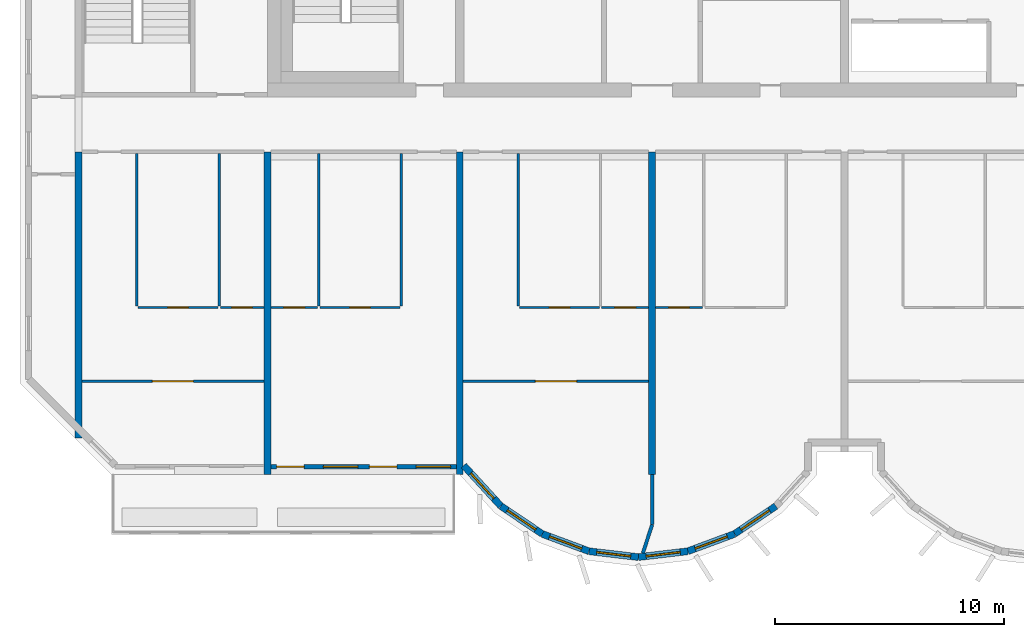
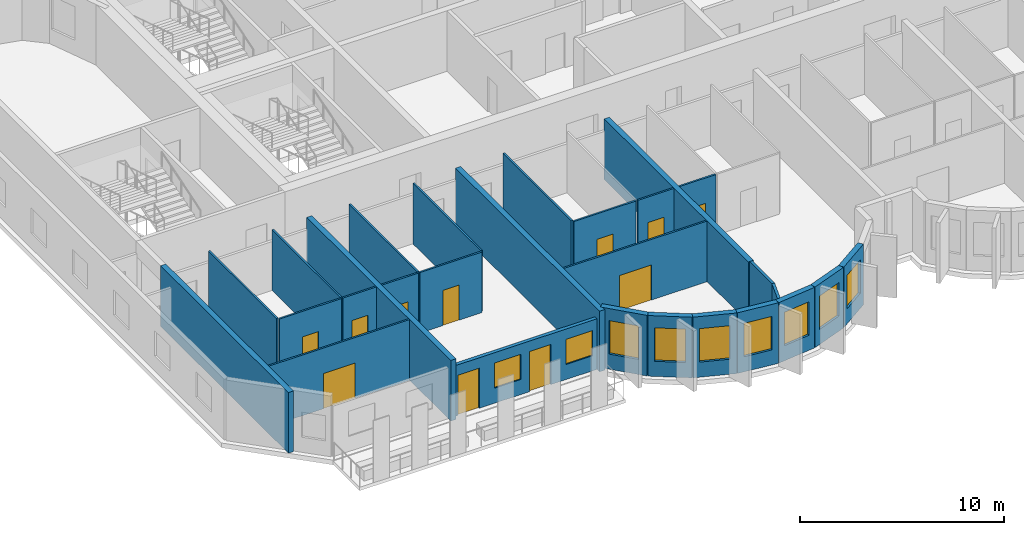
# One storey, part 2 of 11: 28 walls, 11 doors, 9 windows, 20 openings.
"""IFC4 building model written with IfcOpenShell, lengths in metres."""

from ifc_helpers import new_model, si_unit, direction, frame, frame_2d, origin, place, context, subcontext, project, spatial, rectangle, extrude, source, transform, mapped, material, layer, layer_set, type_object, element, fill, save


model = new_model("IFC4")

# Units and contexts
model_context = context("Model", 3, precision=1e-05, world=origin(), true_north=direction((0.0, 1.0)))
body_context = subcontext(model_context, "Body", "Model", "MODEL_VIEW")
ifc_project = project(units=[si_unit("LENGTHUNIT", "METRE"), si_unit("AREAUNIT", "SQUARE_METRE"), si_unit("VOLUMEUNIT", "CUBIC_METRE"), si_unit("PLANEANGLEUNIT", "RADIAN"), si_unit("MASSUNIT", "GRAM", prefix="KILO")], contexts=[model_context])

# Site, building, storey
site_placement = place(None, origin())
site = spatial("IfcSite", under=ifc_project, at=site_placement, CompositionType="ELEMENT")
building_placement = place(site_placement, origin())
building = spatial("IfcBuilding", under=site, at=building_placement, Name="Vanashikhar Sky Hotel", CompositionType="ELEMENT")
storey_placement = place(building_placement, frame((0.0, 0.0, 249.10009765625)))
storey = spatial("IfcBuildingStorey", under=building, at=storey_placement, Name="L60", CompositionType="ELEMENT", Elevation=249.10009765625)

# Walls
ifc_material_1 = material(Name="Concrete M60", Category="concrete")
ifc_layer_1 = layer(ifc_material_1, 0.300048828125)
ifc_layer_set_1 = layer_set([ifc_layer_1], Name="RC shear wall 300 Concrete M60")
wall_type_1 = type_object("IfcWallType", Name="RC shear wall 300 Concrete M60", PredefinedType="SHEAR", material=ifc_layer_set_1)
shared_shape_1 = source(origin(), body_context, "Body", "SweptSolid", [
    extrude(rectangle(XDim=12.5, YDim=0.300048828125, at=frame_2d((6.25, 0.0))), origin(), (0.0, 0.0, 1.0), 3.619873046875),
])
wall_1_placement = place(storey_placement, frame((16.949951171875, 7.10009765625, 0.0), z_axis=(0.0, 0.0, 1.0), x_axis=(0.0, 1.0, 0.0)))
element("IfcWall", 1, at=wall_1_placement, inside=storey, type_object=wall_type_1, Name="CW-L60-XW03-1", PredefinedType="SHEAR", context=body_context, shape_type="MappedRepresentation", body=[
    mapped(shared_shape_1, transform((0.0, 0.0, 0.0), scale=1.0)),
])
shared_shape_2 = source(origin(), body_context, "Body", "SweptSolid", [
    extrude(rectangle(XDim=14.10009765625, YDim=0.300048828125, at=frame_2d((7.050048828125, 0.0))), origin(), (0.0, 0.0, 1.0), 3.619873046875),
])
for number, where, z_axis, x_axis, name in (
    (2, (25.199951171875, 5.5, 0.0), (0.0, 0.0, 1.0), (0.0, 1.0, 0.0), "CW-L60-XW04-1"),
    (3, (33.60009765625, 5.5, 0.0), (0.0, 0.0, 1.0), (0.0, 1.0, 0.0), "CW-L60-XW05-1"),
    (4, (42.0, 5.5, 0.0), (0.0, 0.0, 1.0), (0.0, 1.0, 0.0), "CW-L60-XW06-1"),
):
    element("IfcWall", number, at=place(storey_placement, frame(where, z_axis=z_axis, x_axis=x_axis)), inside=storey, type_object=wall_type_1, Name=name, PredefinedType="SHEAR", context=body_context, shape_type="MappedRepresentation", body=[
        mapped(shared_shape_2, transform((0.0, 0.0, 0.0), scale=1.0)),
    ])

# Wall, openings, windows, doors
ifc_material_2 = material(Name="Concrete M50", Category="concrete")
ifc_layer_2 = layer(ifc_material_2, 0.199951171875)
ifc_layer_set_2 = layer_set([ifc_layer_2], Name="Front window wall 200")
wall_type_2 = type_object("IfcWallType", Name="Front window wall 200", PredefinedType="SOLIDWALL", material=ifc_layer_set_2)
shared_shape_3 = source(origin(), body_context, "Body", "SweptSolid", [
    extrude(rectangle(XDim=8.099853515625, YDim=0.199951171875, at=frame_2d((4.0498046875, 0.0))), origin(), (0.0, 0.0, 1.0), 3.02001953125),
])
wall_2_placement = place(storey_placement, frame((25.35009765625, 5.85009765625, 0.0), z_axis=(0.0, 0.0, 1.0), x_axis=(1.0, 0.0, 0.0)))
wall_2 = element("IfcWall", 5, at=wall_2_placement, inside=storey, type_object=wall_type_2, Name="Front window wall", PredefinedType="SOLIDWALL", context=body_context, shape_type="MappedRepresentation", body=[
    mapped(shared_shape_3, transform((0.0, 0.0, 0.0), scale=1.0)),
])
shared_shape_4 = source(origin(), body_context, "Body", "SweptSolid", [
    extrude(rectangle(XDim=1.199951171875, YDim=2.39990234375, at=frame_2d((0.60009765625, 1.199951171875))), frame((0.0, 0.10986328125, 0.0), z_axis=(0.0, -1.0, 0.0), x_axis=(1.0, 0.0, 0.0)), (0.0, 0.0, 1.0), 0.219970703125),
])
opening_1_placement = place(wall_2_placement, frame((0.25, 0.0, 0.0)))
opening_1 = element("IfcOpeningElement", 6, at=opening_1_placement, cuts=wall_2, Name="Opening BD-01", PredefinedType="OPENING", context=body_context, shape_type="MappedRepresentation", body=[
    mapped(shared_shape_4, transform((0.0, 0.0, 0.0), scale=1.0)),
])
shared_shape_5 = source(origin(), body_context, "Body", "SweptSolid", [
    extrude(rectangle(XDim=1.5, YDim=1.5, at=frame_2d((0.75, 0.75))), frame((0.0, 0.10986328125, 0.0), z_axis=(0.0, -1.0, 0.0), x_axis=(1.0, 0.0, 0.0)), (0.0, 0.0, 1.0), 0.219970703125),
])
opening_2_placement = place(wall_2_placement, frame((2.300048828125, 0.0, 0.89990234375)))
opening_2 = element("IfcOpeningElement", 7, at=opening_2_placement, cuts=wall_2, Name="Opening WN-1", PredefinedType="OPENING", context=body_context, shape_type="MappedRepresentation", body=[
    mapped(shared_shape_5, transform((0.0, 0.0, 0.0), scale=1.0)),
])
opening_3_placement = place(wall_2_placement, frame((4.300048828125, 0.0, 0.0)))
opening_3 = element("IfcOpeningElement", 8, at=opening_3_placement, cuts=wall_2, Name="Opening BD-02", PredefinedType="OPENING", context=body_context, shape_type="MappedRepresentation", body=[
    mapped(shared_shape_4, transform((0.0, 0.0, 0.0), scale=1.0)),
])
opening_4_placement = place(wall_2_placement, frame((6.35009765625, 0.0, 0.89990234375)))
opening_4 = element("IfcOpeningElement", 9, at=opening_4_placement, cuts=wall_2, Name="Opening WN-1", PredefinedType="OPENING", context=body_context, shape_type="MappedRepresentation", body=[
    mapped(shared_shape_5, transform((0.0, 0.0, 0.0), scale=1.0)),
])
ifc_material_3 = material(Name="Glass", Category="glass")
window_type_1 = type_object("IfcWindowType", Name="Window 1500 x 1500", PartitioningType="SINGLE_PANEL", PredefinedType="WINDOW", material=ifc_material_3)
shared_shape_6 = source(origin(), body_context, "Body", "SweptSolid", [
    extrude(rectangle(XDim=1.5, YDim=1.5, at=frame_2d((0.75, 0.75))), frame((0.0, 0.030029296875, 0.0), z_axis=(0.0, -1.0, 0.0), x_axis=(1.0, 0.0, 0.0)), (0.0, 0.0, 1.0), 0.06005859375),
])
window_1_placement = place(opening_2_placement, origin())
window_1 = element("IfcWindow", 10, at=window_1_placement, inside=storey, type_object=window_type_1, Name="Window WN-1", OverallHeight=1.5, OverallWidth=1.5, PartitioningType="SINGLE_PANEL", PredefinedType="WINDOW", context=body_context, shape_type="MappedRepresentation", body=[
    mapped(shared_shape_6, transform((0.0, 0.0, 0.0), scale=1.0)),
])
fill(opening_2, window_1)
window_2_placement = place(opening_4_placement, origin())
window_2 = element("IfcWindow", 11, at=window_2_placement, inside=storey, type_object=window_type_1, Name="Window WN-1", OverallHeight=1.5, OverallWidth=1.5, PartitioningType="SINGLE_PANEL", PredefinedType="WINDOW", context=body_context, shape_type="MappedRepresentation", body=[
    mapped(shared_shape_6, transform((0.0, 0.0, 0.0), scale=1.0)),
])
fill(opening_4, window_2)
ifc_material_4 = material(Name="Aluminium", Category="aluminium")
door_type_1 = type_object("IfcDoorType", Name="Balcony sliding door 1200 x 2400", OperationType="NOTDEFINED", PredefinedType="DOOR", material=ifc_material_4)
shared_shape_7 = source(origin(), body_context, "Body", "SweptSolid", [
    extrude(rectangle(XDim=1.199951171875, YDim=2.39990234375, at=frame_2d((0.60009765625, 1.199951171875))), frame((0.0, 0.02490234375, 0.0), z_axis=(0.0, -1.0, 0.0), x_axis=(1.0, 0.0, 0.0)), (0.0, 0.0, 1.0), 0.050048828125),
])
door_1_placement = place(opening_1_placement, origin())
door_1 = element("IfcDoor", 12, at=door_1_placement, inside=storey, type_object=door_type_1, Name="Balcony sliding door", OperationType="SLIDING_TO_LEFT", OverallHeight=2.39990234375, OverallWidth=1.199951171875, PredefinedType="DOOR", context=body_context, shape_type="MappedRepresentation", body=[
    mapped(shared_shape_7, transform((0.0, 0.0, 0.0), scale=1.0)),
])
fill(opening_1, door_1)
door_2_placement = place(opening_3_placement, origin())
door_2 = element("IfcDoor", 13, at=door_2_placement, inside=storey, type_object=door_type_1, Name="Balcony sliding door", OperationType="SLIDING_TO_RIGHT", OverallHeight=2.39990234375, OverallWidth=1.199951171875, PredefinedType="DOOR", context=body_context, shape_type="MappedRepresentation", body=[
    mapped(shared_shape_7, transform((0.0, 0.0, 0.0), scale=1.0)),
])
fill(opening_3, door_2)

# Wall, opening, window
ifc_layer_3 = layer(ifc_material_2, 0.300048828125)
ifc_layer_set_3 = layer_set([ifc_layer_3], Name="Lobe wall 300")
wall_type_3 = type_object("IfcWallType", Name="Lobe wall 300", PredefinedType="SOLIDWALL", material=ifc_layer_set_3)
shared_shape_8 = source(origin(), body_context, "Body", "SweptSolid", [
    extrude(rectangle(XDim=2.398193359375, YDim=0.300048828125, at=frame_2d((1.19921875, 0.0))), origin(), (0.0, 0.0, 1.0), 3.619873046875),
])
wall_3_placement = place(storey_placement, frame((33.776123046875, 5.89990234375, 0.0), z_axis=(0.0, 0.0, 1.0), x_axis=(0.675374189419, -0.737475222815, 0.0)))
wall_3 = element("IfcWall", 14, at=wall_3_placement, inside=storey, type_object=wall_type_3, Name="Lobe wall", PredefinedType="SOLIDWALL", context=body_context, shape_type="MappedRepresentation", body=[
    mapped(shared_shape_8, transform((0.0, 0.0, 0.0), scale=1.0)),
])
shared_shape_9 = source(origin(), body_context, "Body", "SweptSolid", [
    extrude(rectangle(XDim=1.5, YDim=2.0, at=frame_2d((0.75, 1.0))), frame((0.0, 0.16015625, 0.0), z_axis=(0.0, -1.0, 0.0), x_axis=(1.0, 0.0, 0.0)), (0.0, 0.0, 1.0), 0.320068359375),
])
opening_5_placement = place(wall_3_placement, frame((0.44921875, 0.0, 0.89990234375)))
opening_5 = element("IfcOpeningElement", 15, at=opening_5_placement, cuts=wall_3, Name="Opening WN-2", PredefinedType="OPENING", context=body_context, shape_type="MappedRepresentation", body=[
    mapped(shared_shape_9, transform((0.0, 0.0, 0.0), scale=1.0)),
])
window_type_2 = type_object("IfcWindowType", Name="Lobe window 1500 x 2000", PartitioningType="SINGLE_PANEL", PredefinedType="WINDOW", material=ifc_material_3)
shared_shape_10 = source(origin(), body_context, "Body", "SweptSolid", [
    extrude(rectangle(XDim=1.5, YDim=2.0, at=frame_2d((0.75, 1.0))), frame((0.0, 0.030029296875, 0.0), z_axis=(0.0, -1.0, 0.0), x_axis=(1.0, 0.0, 0.0)), (0.0, 0.0, 1.0), 0.06005859375),
])
window_3_placement = place(opening_5_placement, origin())
window_3 = element("IfcWindow", 16, at=window_3_placement, inside=storey, type_object=window_type_2, Name="Window WN-2", OverallHeight=2.0, OverallWidth=1.5, PartitioningType="SINGLE_PANEL", PredefinedType="WINDOW", context=body_context, shape_type="MappedRepresentation", body=[
    mapped(shared_shape_10, transform((0.0, 0.0, 0.0), scale=1.0)),
])
fill(opening_5, window_3)

shared_shape_11 = source(origin(), body_context, "Body", "SweptSolid", [
    extrude(rectangle(XDim=2.17578125, YDim=0.300048828125, at=frame_2d((1.087890625, 0.0))), origin(), (0.0, 0.0, 1.0), 3.619873046875),
])
wall_4_placement = place(storey_placement, frame((35.395751953125, 4.13134765625, 0.0), z_axis=(0.0, 0.0, 1.0), x_axis=(0.829590746428, -0.558371913192, 0.0)))
wall_4 = element("IfcWall", 17, at=wall_4_placement, inside=storey, type_object=wall_type_3, Name="Lobe wall", PredefinedType="SOLIDWALL", context=body_context, shape_type="MappedRepresentation", body=[
    mapped(shared_shape_11, transform((0.0, 0.0, 0.0), scale=1.0)),
])
opening_6_placement = place(wall_4_placement, frame((0.337890625, 0.0, 0.89990234375)))
opening_6 = element("IfcOpeningElement", 18, at=opening_6_placement, cuts=wall_4, Name="Opening WN-2", PredefinedType="OPENING", context=body_context, shape_type="MappedRepresentation", body=[
    mapped(shared_shape_9, transform((0.0, 0.0, 0.0), scale=1.0)),
])
window_4_placement = place(opening_6_placement, origin())
window_4 = element("IfcWindow", 19, at=window_4_placement, inside=storey, type_object=window_type_2, Name="Window WN-2", OverallHeight=2.0, OverallWidth=1.5, PartitioningType="SINGLE_PANEL", PredefinedType="WINDOW", context=body_context, shape_type="MappedRepresentation", body=[
    mapped(shared_shape_10, transform((0.0, 0.0, 0.0), scale=1.0)),
])
fill(opening_6, window_4)

wall_5_placement = place(storey_placement, frame((37.20068359375, 2.91650390625, 0.0), z_axis=(0.0, 0.0, 1.0), x_axis=(0.93754555999, -0.347862505801, 0.0)))
wall_5 = element("IfcWall", 20, at=wall_5_placement, inside=storey, type_object=wall_type_3, Name="Lobe wall", PredefinedType="SOLIDWALL", context=body_context, shape_type="MappedRepresentation", body=[
    mapped(shared_shape_11, transform((0.0, 0.0, 0.0), scale=1.0)),
])
opening_7_placement = place(wall_5_placement, frame((0.337890625, 0.0, 0.89990234375)))
opening_7 = element("IfcOpeningElement", 21, at=opening_7_placement, cuts=wall_5, Name="Opening WN-2", PredefinedType="OPENING", context=body_context, shape_type="MappedRepresentation", body=[
    mapped(shared_shape_9, transform((0.0, 0.0, 0.0), scale=1.0)),
])
window_5_placement = place(opening_7_placement, origin())
window_5 = element("IfcWindow", 22, at=window_5_placement, inside=storey, type_object=window_type_2, Name="Window WN-2", OverallHeight=2.0, OverallWidth=1.5, PartitioningType="SINGLE_PANEL", PredefinedType="WINDOW", context=body_context, shape_type="MappedRepresentation", body=[
    mapped(shared_shape_10, transform((0.0, 0.0, 0.0), scale=1.0)),
])
fill(opening_7, window_5)

wall_6_placement = place(storey_placement, frame((45.59912109375, 2.91650390625, 0.0), z_axis=(0.0, 0.0, 1.0), x_axis=(0.829625727223, 0.558319937607, 0.0)))
wall_6 = element("IfcWall", 23, at=wall_6_placement, inside=storey, type_object=wall_type_3, Name="Lobe wall", PredefinedType="SOLIDWALL", context=body_context, shape_type="MappedRepresentation", body=[
    mapped(shared_shape_11, transform((0.0, 0.0, 0.0), scale=1.0)),
])
opening_8_placement = place(wall_6_placement, frame((0.337890625, 0.0, 0.89990234375)))
opening_8 = element("IfcOpeningElement", 24, at=opening_8_placement, cuts=wall_6, Name="Opening WN-2", PredefinedType="OPENING", context=body_context, shape_type="MappedRepresentation", body=[
    mapped(shared_shape_9, transform((0.0, 0.0, 0.0), scale=1.0)),
])
window_6_placement = place(opening_8_placement, origin())
window_6 = element("IfcWindow", 25, at=window_6_placement, inside=storey, type_object=window_type_2, Name="Window WN-2", OverallHeight=2.0, OverallWidth=1.5, PartitioningType="SINGLE_PANEL", PredefinedType="WINDOW", context=body_context, shape_type="MappedRepresentation", body=[
    mapped(shared_shape_10, transform((0.0, 0.0, 0.0), scale=1.0)),
])
fill(opening_8, window_6)

shared_shape_12 = source(origin(), body_context, "Body", "SweptSolid", [
    extrude(rectangle(XDim=2.174560546875, YDim=0.300048828125, at=frame_2d((1.08740234375, 0.0))), origin(), (0.0, 0.0, 1.0), 3.619873046875),
])
wall_7_placement = place(storey_placement, frame((39.240478515625, 2.15966796875, 0.0), z_axis=(0.0, 0.0, 1.0), x_axis=(0.993001132889, -0.118104826659, 0.0)))
wall_7 = element("IfcWall", 26, at=wall_7_placement, inside=storey, type_object=wall_type_3, Name="Lobe wall", PredefinedType="SOLIDWALL", context=body_context, shape_type="MappedRepresentation", body=[
    mapped(shared_shape_12, transform((0.0, 0.0, 0.0), scale=1.0)),
])
opening_9_placement = place(wall_7_placement, frame((0.33740234375, 0.0, 0.89990234375)))
opening_9 = element("IfcOpeningElement", 27, at=opening_9_placement, cuts=wall_7, Name="Opening WN-2", PredefinedType="OPENING", context=body_context, shape_type="MappedRepresentation", body=[
    mapped(shared_shape_9, transform((0.0, 0.0, 0.0), scale=1.0)),
])
window_7_placement = place(opening_9_placement, origin())
window_7 = element("IfcWindow", 28, at=window_7_placement, inside=storey, type_object=window_type_2, Name="Window WN-2", OverallHeight=2.0, OverallWidth=1.5, PartitioningType="SINGLE_PANEL", PredefinedType="WINDOW", context=body_context, shape_type="MappedRepresentation", body=[
    mapped(shared_shape_10, transform((0.0, 0.0, 0.0), scale=1.0)),
])
fill(opening_9, window_7)

shared_shape_13 = source(origin(), body_context, "Body", "SweptSolid", [
    extrude(rectangle(XDim=2.1748046875, YDim=0.300048828125, at=frame_2d((1.08740234375, 0.0))), origin(), (0.0, 0.0, 1.0), 3.619873046875),
])
wall_8_placement = place(storey_placement, frame((41.39990234375, 1.90283203125, 0.0), z_axis=(0.0, 0.0, 1.0), x_axis=(0.993002698611, 0.118091661648, 0.0)))
wall_8 = element("IfcWall", 29, at=wall_8_placement, inside=storey, type_object=wall_type_3, Name="Lobe wall", PredefinedType="SOLIDWALL", context=body_context, shape_type="MappedRepresentation", body=[
    mapped(shared_shape_13, transform((0.0, 0.0, 0.0), scale=1.0)),
])
opening_10_placement = place(wall_8_placement, frame((0.33740234375, 0.0, 0.89990234375)))
opening_10 = element("IfcOpeningElement", 30, at=opening_10_placement, cuts=wall_8, Name="Opening WN-2", PredefinedType="OPENING", context=body_context, shape_type="MappedRepresentation", body=[
    mapped(shared_shape_9, transform((0.0, 0.0, 0.0), scale=1.0)),
])
window_8_placement = place(opening_10_placement, origin())
window_8 = element("IfcWindow", 31, at=window_8_placement, inside=storey, type_object=window_type_2, Name="Window WN-2", OverallHeight=2.0, OverallWidth=1.5, PartitioningType="SINGLE_PANEL", PredefinedType="WINDOW", context=body_context, shape_type="MappedRepresentation", body=[
    mapped(shared_shape_10, transform((0.0, 0.0, 0.0), scale=1.0)),
])
fill(opening_10, window_8)

shared_shape_14 = source(origin(), body_context, "Body", "SweptSolid", [
    extrude(rectangle(XDim=2.175537109375, YDim=0.300048828125, at=frame_2d((1.087890625, 0.0))), origin(), (0.0, 0.0, 1.0), 3.619873046875),
])
wall_9_placement = place(storey_placement, frame((43.5595703125, 2.15966796875, 0.0), z_axis=(0.0, 0.0, 1.0), x_axis=(0.937531979054, 0.347899106424, 0.0)))
wall_9 = element("IfcWall", 32, at=wall_9_placement, inside=storey, type_object=wall_type_3, Name="Lobe wall", PredefinedType="SOLIDWALL", context=body_context, shape_type="MappedRepresentation", body=[
    mapped(shared_shape_14, transform((0.0, 0.0, 0.0), scale=1.0)),
])
opening_11_placement = place(wall_9_placement, frame((0.337890625, 0.0, 0.89990234375)))
opening_11 = element("IfcOpeningElement", 33, at=opening_11_placement, cuts=wall_9, Name="Opening WN-2", PredefinedType="OPENING", context=body_context, shape_type="MappedRepresentation", body=[
    mapped(shared_shape_9, transform((0.0, 0.0, 0.0), scale=1.0)),
])
window_9_placement = place(opening_11_placement, origin())
window_9 = element("IfcWindow", 34, at=window_9_placement, inside=storey, type_object=window_type_2, Name="Window WN-2", OverallHeight=2.0, OverallWidth=1.5, PartitioningType="SINGLE_PANEL", PredefinedType="WINDOW", context=body_context, shape_type="MappedRepresentation", body=[
    mapped(shared_shape_10, transform((0.0, 0.0, 0.0), scale=1.0)),
])
fill(opening_11, window_9)

# Wall, opening, door
ifc_material_5 = material(Name="Gypsum plasterboard partition")
ifc_layer_4 = layer(ifc_material_5, 0.10009765625)
ifc_layer_set_4 = layer_set([ifc_layer_4], Name="Wet room partition 100")
wall_type_4 = type_object("IfcWallType", Name="Wet room partition 100", PredefinedType="PARTITIONING", material=ifc_layer_set_4)
shared_shape_15 = source(origin(), body_context, "Body", "SweptSolid", [
    extrude(rectangle(XDim=3.5, YDim=0.10009765625, at=frame_2d((1.75, 0.0))), origin(), (0.0, 0.0, 1.0), 3.619873046875),
])
wall_10_placement = place(storey_placement, frame((19.550048828125, 12.800048828125, 0.0), z_axis=(0.0, 0.0, 1.0), x_axis=(1.0, 0.0, 0.0)))
wall_10 = element("IfcWall", 35, at=wall_10_placement, inside=storey, type_object=wall_type_4, Name="W-L60-PW003", PredefinedType="PARTITIONING", context=body_context, shape_type="MappedRepresentation", body=[
    mapped(shared_shape_15, transform((0.0, 0.0, 0.0), scale=1.0)),
])
shared_shape_16 = source(origin(), body_context, "Body", "SweptSolid", [
    extrude(rectangle(XDim=0.89990234375, YDim=2.10009765625, at=frame_2d((0.449951171875, 1.050048828125))), frame((0.0, 0.06005859375, 0.0), z_axis=(0.0, -1.0, 0.0), x_axis=(1.0, 0.0, 0.0)), (0.0, 0.0, 1.0), 0.1201171875),
])
opening_12_placement = place(wall_10_placement, frame((1.300048828125, 0.0, 0.0)))
opening_12 = element("IfcOpeningElement", 36, at=opening_12_placement, cuts=wall_10, Name="Opening D-02", PredefinedType="OPENING", context=body_context, shape_type="MappedRepresentation", body=[
    mapped(shared_shape_16, transform((0.0, 0.0, 0.0), scale=1.0)),
])
ifc_material_6 = material(Name="Timber door", Category="wood")
door_type_2 = type_object("IfcDoorType", Name="Internal door 900", OperationType="NOTDEFINED", PredefinedType="DOOR", material=ifc_material_6)
shared_shape_17 = source(origin(), body_context, "Body", "SweptSolid", [
    extrude(rectangle(XDim=0.89990234375, YDim=2.10009765625, at=frame_2d((0.449951171875, 1.050048828125))), frame((0.0, 0.02490234375, 0.0), z_axis=(0.0, -1.0, 0.0), x_axis=(1.0, 0.0, 0.0)), (0.0, 0.0, 1.0), 0.050048828125),
])
door_3_placement = place(opening_12_placement, origin())
door_3 = element("IfcDoor", 37, at=door_3_placement, inside=storey, type_object=door_type_2, Name="D-L60-001", OperationType="SINGLE_SWING_LEFT", OverallHeight=2.10009765625, OverallWidth=0.89990234375, PredefinedType="DOOR", context=body_context, shape_type="MappedRepresentation", body=[
    mapped(shared_shape_17, transform((0.0, 0.0, 0.0), scale=1.0)),
])
fill(opening_12, door_3)

wall_11_placement = place(storey_placement, frame((27.5, 12.800048828125, 0.0), z_axis=(0.0, 0.0, 1.0), x_axis=(1.0, 0.0, 0.0)))
wall_11 = element("IfcWall", 38, at=wall_11_placement, inside=storey, type_object=wall_type_4, Name="W-L60-PW009", PredefinedType="PARTITIONING", context=body_context, shape_type="MappedRepresentation", body=[
    mapped(shared_shape_15, transform((0.0, 0.0, 0.0), scale=1.0)),
])
opening_13_placement = place(wall_11_placement, frame((1.300048828125, 0.0, 0.0)))
opening_13 = element("IfcOpeningElement", 39, at=opening_13_placement, cuts=wall_11, Name="Opening D-02", PredefinedType="OPENING", context=body_context, shape_type="MappedRepresentation", body=[
    mapped(shared_shape_16, transform((0.0, 0.0, 0.0), scale=1.0)),
])
door_4_placement = place(opening_13_placement, origin())
door_4 = element("IfcDoor", 40, at=door_4_placement, inside=storey, type_object=door_type_2, Name="D-L60-005", OperationType="SINGLE_SWING_RIGHT", OverallHeight=2.10009765625, OverallWidth=0.89990234375, PredefinedType="DOOR", context=body_context, shape_type="MappedRepresentation", body=[
    mapped(shared_shape_17, transform((0.0, 0.0, 0.0), scale=1.0)),
])
fill(opening_13, door_4)

wall_12_placement = place(storey_placement, frame((36.199951171875, 12.800048828125, 0.0), z_axis=(0.0, 0.0, 1.0), x_axis=(1.0, 0.0, 0.0)))
wall_12 = element("IfcWall", 41, at=wall_12_placement, inside=storey, type_object=wall_type_4, Name="W-L60-PW014", PredefinedType="PARTITIONING", context=body_context, shape_type="MappedRepresentation", body=[
    mapped(shared_shape_15, transform((0.0, 0.0, 0.0), scale=1.0)),
])
opening_14_placement = place(wall_12_placement, frame((1.300048828125, 0.0, 0.0)))
opening_14 = element("IfcOpeningElement", 42, at=opening_14_placement, cuts=wall_12, Name="Opening D-02", PredefinedType="OPENING", context=body_context, shape_type="MappedRepresentation", body=[
    mapped(shared_shape_16, transform((0.0, 0.0, 0.0), scale=1.0)),
])
door_5_placement = place(opening_14_placement, origin())
door_5 = element("IfcDoor", 43, at=door_5_placement, inside=storey, type_object=door_type_2, Name="D-L60-008", OperationType="SINGLE_SWING_LEFT", OverallHeight=2.10009765625, OverallWidth=0.89990234375, PredefinedType="DOOR", context=body_context, shape_type="MappedRepresentation", body=[
    mapped(shared_shape_17, transform((0.0, 0.0, 0.0), scale=1.0)),
])
fill(opening_14, door_5)

shared_shape_18 = source(origin(), body_context, "Body", "SweptSolid", [
    extrude(rectangle(XDim=8.10009765625, YDim=0.10009765625, at=frame_2d((4.050048828125, 0.0))), origin(), (0.0, 0.0, 1.0), 3.619873046875),
])
wall_13_placement = place(storey_placement, frame((33.75, 9.58203125, 0.0), z_axis=(0.0, 0.0, 1.0), x_axis=(1.0, 0.0, 0.0)))
wall_13 = element("IfcWall", 44, at=wall_13_placement, inside=storey, type_object=wall_type_4, Name="W-L60-PW016", PredefinedType="PARTITIONING", context=body_context, shape_type="MappedRepresentation", body=[
    mapped(shared_shape_18, transform((0.0, 0.0, 0.0), scale=1.0)),
])
shared_shape_19 = source(origin(), body_context, "Body", "SweptSolid", [
    extrude(rectangle(XDim=1.800048828125, YDim=2.10009765625, at=frame_2d((0.89990234375, 1.050048828125))), frame((0.0, 0.06005859375, 0.0), z_axis=(0.0, -1.0, 0.0), x_axis=(1.0, 0.0, 0.0)), (0.0, 0.0, 1.0), 0.1201171875),
])
opening_15_placement = place(wall_13_placement, frame((3.14990234375, 0.0, 0.0)))
opening_15 = element("IfcOpeningElement", 45, at=opening_15_placement, cuts=wall_13, Name="Opening D-08", PredefinedType="OPENING", context=body_context, shape_type="MappedRepresentation", body=[
    mapped(shared_shape_19, transform((0.0, 0.0, 0.0), scale=1.0)),
])
door_type_3 = type_object("IfcDoorType", Name="Double leaf door 1800", OperationType="NOTDEFINED", PredefinedType="DOOR", material=ifc_material_6)
shared_shape_20 = source(origin(), body_context, "Body", "SweptSolid", [
    extrude(rectangle(XDim=1.800048828125, YDim=2.10009765625, at=frame_2d((0.89990234375, 1.050048828125))), frame((0.0, 0.02490234375, 0.0), z_axis=(0.0, -1.0, 0.0), x_axis=(1.0, 0.0, 0.0)), (0.0, 0.0, 1.0), 0.050048828125),
])
door_6_placement = place(opening_15_placement, origin())
door_6 = element("IfcDoor", 46, at=door_6_placement, inside=storey, type_object=door_type_3, Name="D-L60-010", OperationType="DOUBLE_DOOR_SINGLE_SWING", OverallHeight=2.10009765625, OverallWidth=1.800048828125, PredefinedType="DOOR", context=body_context, shape_type="MappedRepresentation", body=[
    mapped(shared_shape_20, transform((0.0, 0.0, 0.0), scale=1.0)),
])
fill(opening_15, door_6)

# Walls
ifc_layer_5 = layer(ifc_material_5, 0.14990234375)
ifc_layer_set_5 = layer_set([ifc_layer_5], Name="Corridor and demising partition 150")
wall_type_5 = type_object("IfcWallType", Name="Corridor and demising partition 150", PredefinedType="PARTITIONING", material=ifc_layer_set_5)
shared_shape_21 = source(origin(), body_context, "Body", "SweptSolid", [
    extrude(rectangle(XDim=2.177978515625, YDim=0.14990234375, at=frame_2d((1.0888671875, 0.0))), origin(), (0.0, 0.0, 1.0), 3.619873046875),
])
wall_14_placement = place(storey_placement, frame((42.0, 3.322021484375, 0.0), z_axis=(0.0, 0.0, 1.0), x_axis=(0.0, 1.0, 0.0)))
element("IfcWall", 47, at=wall_14_placement, inside=storey, type_object=wall_type_5, Name="W-L60-PW048", PredefinedType="PARTITIONING", context=body_context, shape_type="MappedRepresentation", body=[
    mapped(shared_shape_21, transform((0.0, 0.0, 0.0), scale=1.0)),
])
shared_shape_22 = source(origin(), body_context, "Body", "SweptSolid", [
    extrude(rectangle(XDim=1.308349609375, YDim=0.14990234375, at=frame_2d((0.654296875, 0.0))), origin(), (0.0, 0.0, 1.0), 3.619873046875),
])
wall_15_placement = place(storey_placement, frame((41.597900390625, 2.076904296875, 0.0), z_axis=(0.0, 0.0, 1.0), x_axis=(0.307313512187, 0.951608325535, 0.0)))
element("IfcWall", 48, at=wall_15_placement, inside=storey, type_object=wall_type_5, Name="W-L60-PW048B0", PredefinedType="PARTITIONING", context=body_context, shape_type="MappedRepresentation", body=[
    mapped(shared_shape_22, transform((0.0, 0.0, 0.0), scale=1.0)),
])
shared_shape_23 = source(origin(), body_context, "Body", "SweptSolid", [
    extrude(rectangle(XDim=6.64990234375, YDim=0.10009765625, at=frame_2d((3.324951171875, 0.0))), origin(), (0.0, 0.0, 1.0), 3.619873046875),
])
for number, where, z_axis, x_axis, name in (
    (49, (19.5, 12.875, 0.0), (0.0, 0.0, 1.0), (0.0, 1.0, 0.0), "W-L60-PW001"),
    (50, (23.10009765625, 12.875, 0.0), (0.0, 0.0, 1.0), (0.0, 1.0, 0.0), "W-L60-PW002"),
    (51, (31.050048828125, 12.875, 0.0), (0.0, 0.0, 1.0), (0.0, 1.0, 0.0), "W-L60-PW007"),
    (52, (27.449951171875, 12.875, 0.0), (0.0, 0.0, 1.0), (0.0, 1.0, 0.0), "W-L60-PW008"),
    (53, (36.14990234375, 12.875, 0.0), (0.0, 0.0, 1.0), (0.0, 1.0, 0.0), "W-L60-PW012"),
):
    element("IfcWall", number, at=place(storey_placement, frame(where, z_axis=z_axis, x_axis=x_axis)), inside=storey, type_object=wall_type_4, Name=name, PredefinedType="PARTITIONING", context=body_context, shape_type="MappedRepresentation", body=[
        mapped(shared_shape_23, transform((0.0, 0.0, 0.0), scale=1.0)),
    ])

# Wall, opening, door
shared_shape_24 = source(origin(), body_context, "Body", "SweptSolid", [
    extrude(rectangle(XDim=1.900146484375, YDim=0.10009765625, at=frame_2d((0.9501953125, 0.0))), origin(), (0.0, 0.0, 1.0), 3.619873046875),
])
wall_16_placement = place(storey_placement, frame((23.14990234375, 12.800048828125, 0.0), z_axis=(0.0, 0.0, 1.0), x_axis=(1.0, 0.0, 0.0)))
wall_16 = element("IfcWall", 54, at=wall_16_placement, inside=storey, type_object=wall_type_4, Name="W-L60-PW004", PredefinedType="PARTITIONING", context=body_context, shape_type="MappedRepresentation", body=[
    mapped(shared_shape_24, transform((0.0, 0.0, 0.0), scale=1.0)),
])
opening_16_placement = place(wall_16_placement, frame((0.5, 0.0, 0.0)))
opening_16 = element("IfcOpeningElement", 55, at=opening_16_placement, cuts=wall_16, Name="Opening D-02", PredefinedType="OPENING", context=body_context, shape_type="MappedRepresentation", body=[
    mapped(shared_shape_16, transform((0.0, 0.0, 0.0), scale=1.0)),
])
door_7_placement = place(opening_16_placement, origin())
door_7 = element("IfcDoor", 56, at=door_7_placement, inside=storey, type_object=door_type_2, Name="D-L60-002", OperationType="SINGLE_SWING_LEFT", OverallHeight=2.10009765625, OverallWidth=0.89990234375, PredefinedType="DOOR", context=body_context, shape_type="MappedRepresentation", body=[
    mapped(shared_shape_17, transform((0.0, 0.0, 0.0), scale=1.0)),
])
fill(opening_16, door_7)

shared_shape_25 = source(origin(), body_context, "Body", "SweptSolid", [
    extrude(rectangle(XDim=7.949951171875, YDim=0.10009765625, at=frame_2d((3.97509765625, 0.0))), origin(), (0.0, 0.0, 1.0), 3.619873046875),
])
wall_17_placement = place(storey_placement, frame((17.10009765625, 9.58203125, 0.0), z_axis=(0.0, 0.0, 1.0), x_axis=(1.0, 0.0, 0.0)))
wall_17 = element("IfcWall", 57, at=wall_17_placement, inside=storey, type_object=wall_type_4, Name="W-L60-PW005", PredefinedType="PARTITIONING", context=body_context, shape_type="MappedRepresentation", body=[
    mapped(shared_shape_25, transform((0.0, 0.0, 0.0), scale=1.0)),
])
opening_17_placement = place(wall_17_placement, frame((3.074951171875, 0.0, 0.0)))
opening_17 = element("IfcOpeningElement", 58, at=opening_17_placement, cuts=wall_17, Name="Opening D-08", PredefinedType="OPENING", context=body_context, shape_type="MappedRepresentation", body=[
    mapped(shared_shape_19, transform((0.0, 0.0, 0.0), scale=1.0)),
])
door_8_placement = place(opening_17_placement, origin())
door_8 = element("IfcDoor", 59, at=door_8_placement, inside=storey, type_object=door_type_3, Name="D-L60-003", OperationType="DOUBLE_DOOR_SINGLE_SWING", OverallHeight=2.10009765625, OverallWidth=1.800048828125, PredefinedType="DOOR", context=body_context, shape_type="MappedRepresentation", body=[
    mapped(shared_shape_20, transform((0.0, 0.0, 0.0), scale=1.0)),
])
fill(opening_17, door_8)

shared_shape_26 = source(origin(), body_context, "Body", "SweptSolid", [
    extrude(rectangle(XDim=2.0498046875, YDim=0.10009765625, at=frame_2d((1.02490234375, 0.0))), origin(), (0.0, 0.0, 1.0), 3.619873046875),
])
wall_18_placement = place(storey_placement, frame((25.35009765625, 12.800048828125, 0.0), z_axis=(0.0, 0.0, 1.0), x_axis=(1.0, 0.0, 0.0)))
wall_18 = element("IfcWall", 60, at=wall_18_placement, inside=storey, type_object=wall_type_4, Name="W-L60-PW010", PredefinedType="PARTITIONING", context=body_context, shape_type="MappedRepresentation", body=[
    mapped(shared_shape_26, transform((0.0, 0.0, 0.0), scale=1.0)),
])
opening_18_placement = place(wall_18_placement, frame((0.574951171875, 0.0, 0.0)))
opening_18 = element("IfcOpeningElement", 61, at=opening_18_placement, cuts=wall_18, Name="Opening D-02", PredefinedType="OPENING", context=body_context, shape_type="MappedRepresentation", body=[
    mapped(shared_shape_16, transform((0.0, 0.0, 0.0), scale=1.0)),
])
door_9_placement = place(opening_18_placement, origin())
door_9 = element("IfcDoor", 62, at=door_9_placement, inside=storey, type_object=door_type_2, Name="D-L60-006", OperationType="SINGLE_SWING_RIGHT", OverallHeight=2.10009765625, OverallWidth=0.89990234375, PredefinedType="DOOR", context=body_context, shape_type="MappedRepresentation", body=[
    mapped(shared_shape_17, transform((0.0, 0.0, 0.0), scale=1.0)),
])
fill(opening_18, door_9)

shared_shape_27 = source(origin(), body_context, "Body", "SweptSolid", [
    extrude(rectangle(XDim=2.050048828125, YDim=0.10009765625, at=frame_2d((1.02490234375, 0.0))), origin(), (0.0, 0.0, 1.0), 3.619873046875),
])
wall_19_placement = place(storey_placement, frame((39.800048828125, 12.800048828125, 0.0), z_axis=(0.0, 0.0, 1.0), x_axis=(1.0, 0.0, 0.0)))
wall_19 = element("IfcWall", 63, at=wall_19_placement, inside=storey, type_object=wall_type_4, Name="W-L60-PW015", PredefinedType="PARTITIONING", context=body_context, shape_type="MappedRepresentation", body=[
    mapped(shared_shape_27, transform((0.0, 0.0, 0.0), scale=1.0)),
])
opening_19_placement = place(wall_19_placement, frame((0.574951171875, 0.0, 0.0)))
opening_19 = element("IfcOpeningElement", 64, at=opening_19_placement, cuts=wall_19, Name="Opening D-02", PredefinedType="OPENING", context=body_context, shape_type="MappedRepresentation", body=[
    mapped(shared_shape_16, transform((0.0, 0.0, 0.0), scale=1.0)),
])
door_10_placement = place(opening_19_placement, origin())
door_10 = element("IfcDoor", 65, at=door_10_placement, inside=storey, type_object=door_type_2, Name="D-L60-009", OperationType="SINGLE_SWING_LEFT", OverallHeight=2.10009765625, OverallWidth=0.89990234375, PredefinedType="DOOR", context=body_context, shape_type="MappedRepresentation", body=[
    mapped(shared_shape_17, transform((0.0, 0.0, 0.0), scale=1.0)),
])
fill(opening_19, door_10)

wall_20_placement = place(storey_placement, frame((42.14990234375, 12.800048828125, 0.0), z_axis=(0.0, 0.0, 1.0), x_axis=(1.0, 0.0, 0.0)))
wall_20 = element("IfcWall", 66, at=wall_20_placement, inside=storey, type_object=wall_type_4, Name="W-L60-PW021", PredefinedType="PARTITIONING", context=body_context, shape_type="MappedRepresentation", body=[
    mapped(shared_shape_27, transform((0.0, 0.0, 0.0), scale=1.0)),
])
opening_20_placement = place(wall_20_placement, frame((0.574951171875, 0.0, 0.0)))
opening_20 = element("IfcOpeningElement", 67, at=opening_20_placement, cuts=wall_20, Name="Opening D-02", PredefinedType="OPENING", context=body_context, shape_type="MappedRepresentation", body=[
    mapped(shared_shape_16, transform((0.0, 0.0, 0.0), scale=1.0)),
])
door_11_placement = place(opening_20_placement, origin())
door_11 = element("IfcDoor", 68, at=door_11_placement, inside=storey, type_object=door_type_2, Name="D-L60-013", OperationType="SINGLE_SWING_RIGHT", OverallHeight=2.10009765625, OverallWidth=0.89990234375, PredefinedType="DOOR", context=body_context, shape_type="MappedRepresentation", body=[
    mapped(shared_shape_17, transform((0.0, 0.0, 0.0), scale=1.0)),
])
fill(opening_20, door_11)

save(model, "model.ifc")
